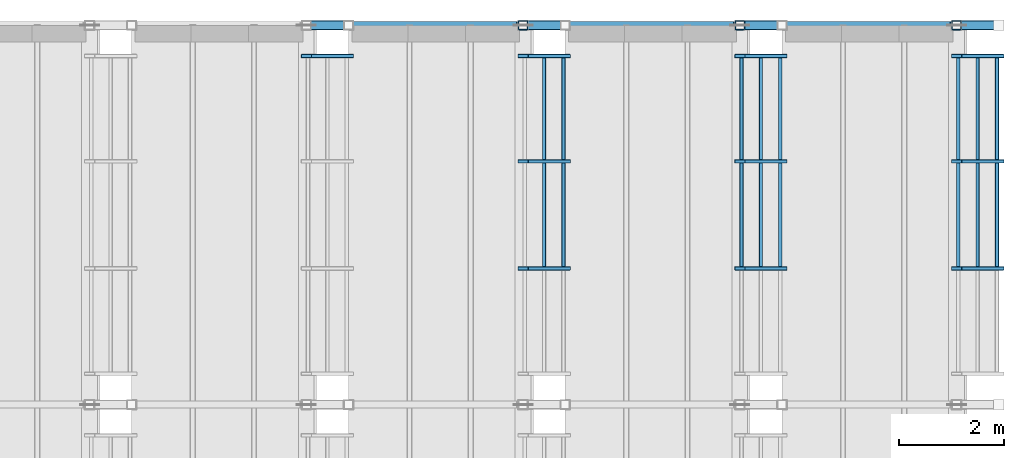
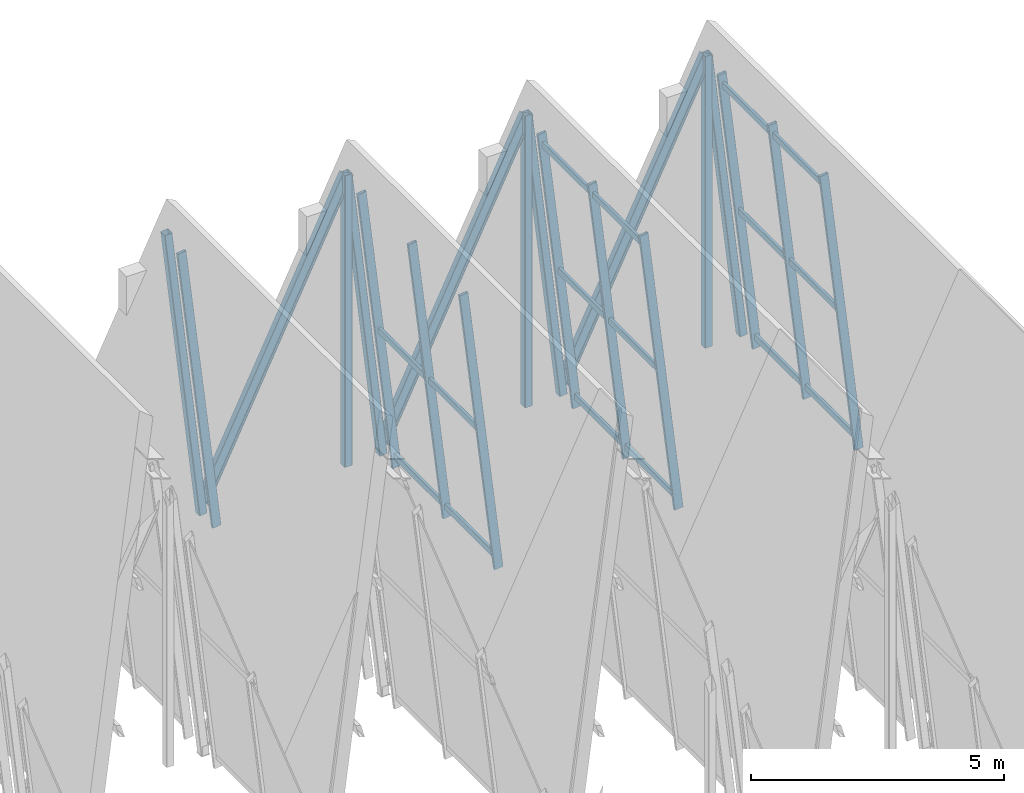
# One storey, part 10 of 28: 36 members, 4 elements without a shape of their own.
"""IFC4 building model written with IfcOpenShell, lengths in metres."""

from ifc_helpers import new_model, si_unit, direction, frame, origin, origin_2d, place, context, subcontext, project, spatial, hollow_rectangle, i_section, extrude, material, material_profile, profile_set, type_object, element, aggregate, save


model = new_model("IFC4")

# Units and contexts
model_context = context("Model", 3, precision=1e-05, world=origin(), true_north=direction((0.0, 1.0)))
body_context = subcontext(model_context, "Body", "Model", "MODEL_VIEW")
ifc_project = project(units=[si_unit("LENGTHUNIT", "METRE"), si_unit("AREAUNIT", "SQUARE_METRE"), si_unit("VOLUMEUNIT", "CUBIC_METRE"), si_unit("PLANEANGLEUNIT", "RADIAN"), si_unit("MASSUNIT", "GRAM", prefix="KILO")], contexts=[model_context])

# Site, building, storey
site_placement = place(None, origin())
site = spatial("IfcSite", under=ifc_project, at=site_placement, CompositionType="ELEMENT")
building_placement = place(site_placement, origin())
building = spatial("IfcBuilding", under=site, at=building_placement, Name="Bramveld Media Centre", CompositionType="ELEMENT")
storey_placement = place(building_placement, frame((0.0, 0.0, 33.89990234375)))
storey = spatial("IfcBuildingStorey", under=building, at=storey_placement, Name="ROOF", CompositionType="ELEMENT", Elevation=33.89990234375)

# Curtain wall, member
ifc_material_1 = material(Name="Thermally broken anodized bronze aluminium unitized curtain wall with solar-control triple glazing", Category="aluminium")
curtain_wall_type = type_object("IfcCurtainWallType", Name="CW-CRN-6100x6941", PredefinedType="NOTDEFINED", material=ifc_material_1)
curtain_wall_1_placement = place(storey_placement, origin())
curtain_wall_1 = element("IfcCurtainWall", 1, at=curtain_wall_1_placement, inside=storey, type_object=curtain_wall_type, Name="V7 crown clerestory B4-S4", PredefinedType="NOTDEFINED")
ifc_material_2 = material(Name="Thermally broken anodized bronze aluminium EN AW-6063 T6 curtain-wall framing", Category="aluminium")
ifc_material_profile_1 = material_profile(ifc_material_2, hollow_rectangle(XDim=0.070068359375, YDim=0.199951171875, WallThickness=0.00439453125, InnerFilletRadius=0.00439453125, OuterFilletRadius=0.009033203125, at=origin_2d()), Name="AL-MULL 70x200")
ifc_profile_set_1 = profile_set([ifc_material_profile_1], Name="Thermally broken anodized bronze aluminium EN AW-6063 T6 curtain-wall framing")
member_type_1 = type_object("IfcMemberType", Name="CW-MULL-SLP", PredefinedType="MULLION", material=ifc_profile_set_1)
member_1_placement = place(storey_placement, frame((147.656982421875, 111.4150390625, -0.02001953125), z_axis=(-0.115228868081, 0.0, 0.993338969315), x_axis=(0.0, -1.0, 0.0)))
member_1 = element("IfcMember", 2, at=member_1_placement, type_object=member_type_1, Name="CW-CR-6169 sloped mullion 4", PredefinedType="MULLION", context=body_context, shape_type="SweptSolid", body=[
    extrude(hollow_rectangle(XDim=0.070068359375, YDim=0.199951171875, WallThickness=0.00439453125, InnerFilletRadius=0.00439453125, OuterFilletRadius=0.009033203125, at=origin_2d()), origin(), (0.0, 0.0, 1.0), 6.94091796875),
])
aggregate(curtain_wall_1, [member_1])

# Curtain wall, members
curtain_wall_2_placement = place(storey_placement, origin())
curtain_wall_2 = element("IfcCurtainWall", 3, at=curtain_wall_2_placement, inside=storey, type_object=curtain_wall_type, Name="V7 crown clerestory B5-S4", PredefinedType="NOTDEFINED")
member_2_placement = place(storey_placement, frame((151.771484375, 107.38330078125, -0.02001953125), z_axis=(-0.115263574492, 0.0, 0.993334942703), x_axis=(0.0, -1.0, 0.0)))
member_2 = element("IfcMember", 4, at=member_2_placement, type_object=member_type_1, Name="CW-CR-6169 sloped mullion 2", PredefinedType="MULLION", context=body_context, shape_type="SweptSolid", body=[
    extrude(hollow_rectangle(XDim=0.070068359375, YDim=0.199951171875, WallThickness=0.00439453125, InnerFilletRadius=0.00439453125, OuterFilletRadius=0.009033203125, at=origin_2d()), origin(), (0.0, 0.0, 1.0), 6.94091796875),
])
member_3_placement = place(storey_placement, frame((151.771484375, 109.416748046875, -0.02001953125), z_axis=(-0.115263574492, 0.0, 0.993334942703), x_axis=(0.0, -1.0, 0.0)))
member_3 = element("IfcMember", 5, at=member_3_placement, type_object=member_type_1, Name="CW-CR-6169 sloped mullion 3", PredefinedType="MULLION", context=body_context, shape_type="SweptSolid", body=[
    extrude(hollow_rectangle(XDim=0.070068359375, YDim=0.199951171875, WallThickness=0.00439453125, InnerFilletRadius=0.00439453125, OuterFilletRadius=0.009033203125, at=origin_2d()), origin(), (0.0, 0.0, 1.0), 6.94091796875),
])
member_4_placement = place(storey_placement, frame((151.771484375, 111.4150390625, -0.02001953125), z_axis=(-0.115263574492, 0.0, 0.993334942703), x_axis=(0.0, -1.0, 0.0)))
member_4 = element("IfcMember", 6, at=member_4_placement, type_object=member_type_1, Name="CW-CR-6169 sloped mullion 4", PredefinedType="MULLION", context=body_context, shape_type="SweptSolid", body=[
    extrude(hollow_rectangle(XDim=0.070068359375, YDim=0.199951171875, WallThickness=0.00439453125, InnerFilletRadius=0.00439453125, OuterFilletRadius=0.009033203125, at=origin_2d()), origin(), (0.0, 0.0, 1.0), 6.94091796875),
])

curtain_wall_3_placement = place(storey_placement, origin())
curtain_wall_3 = element("IfcCurtainWall", 7, at=curtain_wall_3_placement, inside=storey, type_object=curtain_wall_type, Name="V7 crown clerestory B6-S4", PredefinedType="NOTDEFINED")
member_5_placement = place(storey_placement, frame((155.8857421875, 107.38330078125, -0.02001953125), z_axis=(-0.115263574492, 0.0, 0.993334942703), x_axis=(0.0, -1.0, 0.0)))
member_5 = element("IfcMember", 8, at=member_5_placement, type_object=member_type_1, Name="CW-CR-6169 sloped mullion 2", PredefinedType="MULLION", context=body_context, shape_type="SweptSolid", body=[
    extrude(hollow_rectangle(XDim=0.070068359375, YDim=0.199951171875, WallThickness=0.00439453125, InnerFilletRadius=0.00439453125, OuterFilletRadius=0.009033203125, at=origin_2d()), origin(), (0.0, 0.0, 1.0), 6.94091796875),
])
member_6_placement = place(storey_placement, frame((155.8857421875, 109.416748046875, -0.02001953125), z_axis=(-0.115263574492, 0.0, 0.993334942703), x_axis=(0.0, -1.0, 0.0)))
member_6 = element("IfcMember", 9, at=member_6_placement, type_object=member_type_1, Name="CW-CR-6169 sloped mullion 3", PredefinedType="MULLION", context=body_context, shape_type="SweptSolid", body=[
    extrude(hollow_rectangle(XDim=0.070068359375, YDim=0.199951171875, WallThickness=0.00439453125, InnerFilletRadius=0.00439453125, OuterFilletRadius=0.009033203125, at=origin_2d()), origin(), (0.0, 0.0, 1.0), 6.94091796875),
])
member_7_placement = place(storey_placement, frame((155.8857421875, 111.4150390625, -0.02001953125), z_axis=(-0.115263574492, 0.0, 0.993334942703), x_axis=(0.0, -1.0, 0.0)))
member_7 = element("IfcMember", 10, at=member_7_placement, type_object=member_type_1, Name="CW-CR-6169 sloped mullion 4", PredefinedType="MULLION", context=body_context, shape_type="SweptSolid", body=[
    extrude(hollow_rectangle(XDim=0.070068359375, YDim=0.199951171875, WallThickness=0.00439453125, InnerFilletRadius=0.00439453125, OuterFilletRadius=0.009033203125, at=origin_2d()), origin(), (0.0, 0.0, 1.0), 6.94091796875),
])

curtain_wall_4_placement = place(storey_placement, origin())
curtain_wall_4 = element("IfcCurtainWall", 11, at=curtain_wall_4_placement, inside=storey, type_object=curtain_wall_type, Name="V7 crown clerestory B7-S4", PredefinedType="NOTDEFINED")
member_8_placement = place(storey_placement, frame((160.0, 107.38330078125, -0.02001953125), z_axis=(-0.115263574492, 0.0, 0.993334942703), x_axis=(0.0, -1.0, 0.0)))
member_8 = element("IfcMember", 12, at=member_8_placement, type_object=member_type_1, Name="CW-CR-6169 sloped mullion 2", PredefinedType="MULLION", context=body_context, shape_type="SweptSolid", body=[
    extrude(hollow_rectangle(XDim=0.070068359375, YDim=0.199951171875, WallThickness=0.00439453125, InnerFilletRadius=0.00439453125, OuterFilletRadius=0.009033203125, at=origin_2d()), origin(), (0.0, 0.0, 1.0), 6.94091796875),
])
member_9_placement = place(storey_placement, frame((160.0, 109.416748046875, -0.02001953125), z_axis=(-0.115263574492, 0.0, 0.993334942703), x_axis=(0.0, -1.0, 0.0)))
member_9 = element("IfcMember", 13, at=member_9_placement, type_object=member_type_1, Name="CW-CR-6169 sloped mullion 3", PredefinedType="MULLION", context=body_context, shape_type="SweptSolid", body=[
    extrude(hollow_rectangle(XDim=0.070068359375, YDim=0.199951171875, WallThickness=0.00439453125, InnerFilletRadius=0.00439453125, OuterFilletRadius=0.009033203125, at=origin_2d()), origin(), (0.0, 0.0, 1.0), 6.94091796875),
])
member_10_placement = place(storey_placement, frame((160.0, 111.4150390625, -0.02001953125), z_axis=(-0.115263574492, 0.0, 0.993334942703), x_axis=(0.0, -1.0, 0.0)))
member_10 = element("IfcMember", 14, at=member_10_placement, type_object=member_type_1, Name="CW-CR-6169 sloped mullion 4", PredefinedType="MULLION", context=body_context, shape_type="SweptSolid", body=[
    extrude(hollow_rectangle(XDim=0.070068359375, YDim=0.199951171875, WallThickness=0.00439453125, InnerFilletRadius=0.00439453125, OuterFilletRadius=0.009033203125, at=origin_2d()), origin(), (0.0, 0.0, 1.0), 6.94091796875),
])

# Member
ifc_material_3 = material(Name="Thermally broken anodized bronze aluminium EN AW-6063 T6 curtain-wall framing", Category="aluminium")
ifc_material_profile_2 = material_profile(ifc_material_3, hollow_rectangle(XDim=0.070068359375, YDim=0.14990234375, WallThickness=0.00390625, InnerFilletRadius=0.00390625, OuterFilletRadius=0.008056640625, at=origin_2d()), Name="AL-TRAN 70x150")
ifc_profile_set_2 = profile_set([ifc_material_profile_2], Name="Thermally broken anodized bronze aluminium EN AW-6063 T6 curtain-wall framing")
member_type_2 = type_object("IfcMemberType", Name="CW-TRAN-SLP", PredefinedType="USERDEFINED", material=ifc_profile_set_2)
member_11_placement = place(storey_placement, frame((151.739501953125, 107.418212890625, 0.255859375), z_axis=(0.0, 1.0, 0.0), x_axis=(-1.0, 0.0, 0.0)))
member_11 = element("IfcMember", 15, at=member_11_placement, type_object=member_type_2, Name="CW-CR-6169 transom 2.1", ObjectType="TRANSOM", PredefinedType="USERDEFINED", context=body_context, shape_type="SweptSolid", body=[
    extrude(hollow_rectangle(XDim=0.070068359375, YDim=0.14990234375, WallThickness=0.00390625, InnerFilletRadius=0.00390625, OuterFilletRadius=0.008056640625, at=origin_2d()), origin(), (0.0, 0.0, 1.0), 1.96337890625),
])

member_12_placement = place(storey_placement, frame((151.371337890625, 107.418212890625, 3.427490234375), z_axis=(0.0, 1.0, 0.0), x_axis=(-1.0, 0.0, 0.0)))
member_12 = element("IfcMember", 16, at=member_12_placement, type_object=member_type_2, Name="CW-CR-6169 transom 2.2", ObjectType="TRANSOM", PredefinedType="USERDEFINED", context=body_context, shape_type="SweptSolid", body=[
    extrude(hollow_rectangle(XDim=0.070068359375, YDim=0.14990234375, WallThickness=0.00390625, InnerFilletRadius=0.00390625, OuterFilletRadius=0.008056640625, at=origin_2d()), origin(), (0.0, 0.0, 1.0), 1.96337890625),
])

member_13_placement = place(storey_placement, frame((151.739501953125, 109.45166015625, 0.255859375), z_axis=(0.0, 1.0, 0.0), x_axis=(-1.0, 0.0, 0.0)))
member_13 = element("IfcMember", 17, at=member_13_placement, type_object=member_type_2, Name="CW-CR-6169 transom 3.1", ObjectType="TRANSOM", PredefinedType="USERDEFINED", context=body_context, shape_type="SweptSolid", body=[
    extrude(hollow_rectangle(XDim=0.070068359375, YDim=0.14990234375, WallThickness=0.00390625, InnerFilletRadius=0.00390625, OuterFilletRadius=0.008056640625, at=origin_2d()), origin(), (0.0, 0.0, 1.0), 1.92822265625),
])

member_14_placement = place(storey_placement, frame((151.371337890625, 109.45166015625, 3.427490234375), z_axis=(0.0, 1.0, 0.0), x_axis=(-1.0, 0.0, 0.0)))
member_14 = element("IfcMember", 18, at=member_14_placement, type_object=member_type_2, Name="CW-CR-6169 transom 3.2", ObjectType="TRANSOM", PredefinedType="USERDEFINED", context=body_context, shape_type="SweptSolid", body=[
    extrude(hollow_rectangle(XDim=0.070068359375, YDim=0.14990234375, WallThickness=0.00390625, InnerFilletRadius=0.00390625, OuterFilletRadius=0.008056640625, at=origin_2d()), origin(), (0.0, 0.0, 1.0), 1.92822265625),
])

aggregate(curtain_wall_2, [member_2, member_3, member_4, member_11, member_12, member_13, member_14])

member_15_placement = place(storey_placement, frame((155.853759765625, 107.418212890625, 0.255859375), z_axis=(0.0, 1.0, 0.0), x_axis=(-1.0, 0.0, 0.0)))
member_15 = element("IfcMember", 19, at=member_15_placement, type_object=member_type_2, Name="CW-CR-6169 transom 2.1", ObjectType="TRANSOM", PredefinedType="USERDEFINED", context=body_context, shape_type="SweptSolid", body=[
    extrude(hollow_rectangle(XDim=0.070068359375, YDim=0.14990234375, WallThickness=0.00390625, InnerFilletRadius=0.00390625, OuterFilletRadius=0.008056640625, at=origin_2d()), origin(), (0.0, 0.0, 1.0), 1.96337890625),
])

member_16_placement = place(storey_placement, frame((155.485595703125, 107.418212890625, 3.427490234375), z_axis=(0.0, 1.0, 0.0), x_axis=(-1.0, 0.0, 0.0)))
member_16 = element("IfcMember", 20, at=member_16_placement, type_object=member_type_2, Name="CW-CR-6169 transom 2.2", ObjectType="TRANSOM", PredefinedType="USERDEFINED", context=body_context, shape_type="SweptSolid", body=[
    extrude(hollow_rectangle(XDim=0.070068359375, YDim=0.14990234375, WallThickness=0.00390625, InnerFilletRadius=0.00390625, OuterFilletRadius=0.008056640625, at=origin_2d()), origin(), (0.0, 0.0, 1.0), 1.96337890625),
])

member_17_placement = place(storey_placement, frame((155.11767578125, 107.418212890625, 6.598876953125), z_axis=(0.0, 1.0, 0.0), x_axis=(-1.0, 0.0, 0.0)))
member_17 = element("IfcMember", 21, at=member_17_placement, type_object=member_type_2, Name="CW-CR-6169 transom 2.3", ObjectType="TRANSOM", PredefinedType="USERDEFINED", context=body_context, shape_type="SweptSolid", body=[
    extrude(hollow_rectangle(XDim=0.070068359375, YDim=0.14990234375, WallThickness=0.00390625, InnerFilletRadius=0.00390625, OuterFilletRadius=0.008056640625, at=origin_2d()), origin(), (0.0, 0.0, 1.0), 1.96337890625),
])

member_18_placement = place(storey_placement, frame((155.853759765625, 109.45166015625, 0.255859375), z_axis=(0.0, 1.0, 0.0), x_axis=(-1.0, 0.0, 0.0)))
member_18 = element("IfcMember", 22, at=member_18_placement, type_object=member_type_2, Name="CW-CR-6169 transom 3.1", ObjectType="TRANSOM", PredefinedType="USERDEFINED", context=body_context, shape_type="SweptSolid", body=[
    extrude(hollow_rectangle(XDim=0.070068359375, YDim=0.14990234375, WallThickness=0.00390625, InnerFilletRadius=0.00390625, OuterFilletRadius=0.008056640625, at=origin_2d()), origin(), (0.0, 0.0, 1.0), 1.92822265625),
])

member_19_placement = place(storey_placement, frame((155.485595703125, 109.45166015625, 3.427490234375), z_axis=(0.0, 1.0, 0.0), x_axis=(-1.0, 0.0, 0.0)))
member_19 = element("IfcMember", 23, at=member_19_placement, type_object=member_type_2, Name="CW-CR-6169 transom 3.2", ObjectType="TRANSOM", PredefinedType="USERDEFINED", context=body_context, shape_type="SweptSolid", body=[
    extrude(hollow_rectangle(XDim=0.070068359375, YDim=0.14990234375, WallThickness=0.00390625, InnerFilletRadius=0.00390625, OuterFilletRadius=0.008056640625, at=origin_2d()), origin(), (0.0, 0.0, 1.0), 1.92822265625),
])

member_20_placement = place(storey_placement, frame((155.11767578125, 109.45166015625, 6.598876953125), z_axis=(0.0, 1.0, 0.0), x_axis=(-1.0, 0.0, 0.0)))
member_20 = element("IfcMember", 24, at=member_20_placement, type_object=member_type_2, Name="CW-CR-6169 transom 3.3", ObjectType="TRANSOM", PredefinedType="USERDEFINED", context=body_context, shape_type="SweptSolid", body=[
    extrude(hollow_rectangle(XDim=0.070068359375, YDim=0.14990234375, WallThickness=0.00390625, InnerFilletRadius=0.00390625, OuterFilletRadius=0.008056640625, at=origin_2d()), origin(), (0.0, 0.0, 1.0), 1.92822265625),
])

aggregate(curtain_wall_3, [member_5, member_6, member_7, member_15, member_16, member_17, member_18, member_19, member_20])

member_21_placement = place(storey_placement, frame((159.968017578125, 107.418212890625, 0.255859375), z_axis=(0.0, 1.0, 0.0), x_axis=(-1.0, 0.0, 0.0)))
member_21 = element("IfcMember", 25, at=member_21_placement, type_object=member_type_2, Name="CW-CR-6169 transom 2.1", ObjectType="TRANSOM", PredefinedType="USERDEFINED", context=body_context, shape_type="SweptSolid", body=[
    extrude(hollow_rectangle(XDim=0.070068359375, YDim=0.14990234375, WallThickness=0.00390625, InnerFilletRadius=0.00390625, OuterFilletRadius=0.008056640625, at=origin_2d()), origin(), (0.0, 0.0, 1.0), 1.96337890625),
])

member_22_placement = place(storey_placement, frame((159.60009765625, 107.418212890625, 3.427490234375), z_axis=(0.0, 1.0, 0.0), x_axis=(-1.0, 0.0, 0.0)))
member_22 = element("IfcMember", 26, at=member_22_placement, type_object=member_type_2, Name="CW-CR-6169 transom 2.2", ObjectType="TRANSOM", PredefinedType="USERDEFINED", context=body_context, shape_type="SweptSolid", body=[
    extrude(hollow_rectangle(XDim=0.070068359375, YDim=0.14990234375, WallThickness=0.00390625, InnerFilletRadius=0.00390625, OuterFilletRadius=0.008056640625, at=origin_2d()), origin(), (0.0, 0.0, 1.0), 1.96337890625),
])

member_23_placement = place(storey_placement, frame((159.23193359375, 107.418212890625, 6.598876953125), z_axis=(0.0, 1.0, 0.0), x_axis=(-1.0, 0.0, 0.0)))
member_23 = element("IfcMember", 27, at=member_23_placement, type_object=member_type_2, Name="CW-CR-6169 transom 2.3", ObjectType="TRANSOM", PredefinedType="USERDEFINED", context=body_context, shape_type="SweptSolid", body=[
    extrude(hollow_rectangle(XDim=0.070068359375, YDim=0.14990234375, WallThickness=0.00390625, InnerFilletRadius=0.00390625, OuterFilletRadius=0.008056640625, at=origin_2d()), origin(), (0.0, 0.0, 1.0), 1.96337890625),
])

member_24_placement = place(storey_placement, frame((159.968017578125, 109.45166015625, 0.255859375), z_axis=(0.0, 1.0, 0.0), x_axis=(-1.0, 0.0, 0.0)))
member_24 = element("IfcMember", 28, at=member_24_placement, type_object=member_type_2, Name="CW-CR-6169 transom 3.1", ObjectType="TRANSOM", PredefinedType="USERDEFINED", context=body_context, shape_type="SweptSolid", body=[
    extrude(hollow_rectangle(XDim=0.070068359375, YDim=0.14990234375, WallThickness=0.00390625, InnerFilletRadius=0.00390625, OuterFilletRadius=0.008056640625, at=origin_2d()), origin(), (0.0, 0.0, 1.0), 1.92822265625),
])

member_25_placement = place(storey_placement, frame((159.60009765625, 109.45166015625, 3.427490234375), z_axis=(0.0, 1.0, 0.0), x_axis=(-1.0, 0.0, 0.0)))
member_25 = element("IfcMember", 29, at=member_25_placement, type_object=member_type_2, Name="CW-CR-6169 transom 3.2", ObjectType="TRANSOM", PredefinedType="USERDEFINED", context=body_context, shape_type="SweptSolid", body=[
    extrude(hollow_rectangle(XDim=0.070068359375, YDim=0.14990234375, WallThickness=0.00390625, InnerFilletRadius=0.00390625, OuterFilletRadius=0.008056640625, at=origin_2d()), origin(), (0.0, 0.0, 1.0), 1.92822265625),
])

member_26_placement = place(storey_placement, frame((159.23193359375, 109.45166015625, 6.598876953125), z_axis=(0.0, 1.0, 0.0), x_axis=(-1.0, 0.0, 0.0)))
member_26 = element("IfcMember", 30, at=member_26_placement, type_object=member_type_2, Name="CW-CR-6169 transom 3.3", ObjectType="TRANSOM", PredefinedType="USERDEFINED", context=body_context, shape_type="SweptSolid", body=[
    extrude(hollow_rectangle(XDim=0.070068359375, YDim=0.14990234375, WallThickness=0.00390625, InnerFilletRadius=0.00390625, OuterFilletRadius=0.008056640625, at=origin_2d()), origin(), (0.0, 0.0, 1.0), 1.92822265625),
])

aggregate(curtain_wall_4, [member_8, member_9, member_10, member_21, member_22, member_23, member_24, member_25, member_26])

# Members
ifc_material_4 = material(Name="Steel S355J2H", Category="steel")
ifc_material_profile_3 = material_profile(ifc_material_4, hollow_rectangle(XDim=0.179931640625, YDim=0.179931640625, WallThickness=0.010009765625, InnerFilletRadius=0.010009765625, OuterFilletRadius=0.02001953125, at=origin_2d()), Name="SHS 180x180x10")
ifc_profile_set_3 = profile_set([ifc_material_profile_3], Name="Steel S355J2H")
member_type_3 = type_object("IfcMemberType", Name="MEM-POST-SHS180", PredefinedType="POST", material=ifc_profile_set_3)
for number, where, z_axis, x_axis, name in (
    (31, (150.971435546875, 112.0, -0.0498046875), (0.0, 0.0, 1.0), (1.0, 0.0, 0.0), "CRN-FR-B05-F5 gable kingpost"),
    (32, (155.085693359375, 112.0, -0.0498046875), (0.0, 0.0, 1.0), (1.0, 0.0, 0.0), "CRN-FR-B06-F5 gable kingpost"),
    (33, (159.199951171875, 112.0, -0.0498046875), (0.0, 0.0, 1.0), (1.0, 0.0, 0.0), "CRN-FR-B07-F5 gable kingpost"),
):
    element("IfcMember", number, at=place(storey_placement, frame(where, z_axis=z_axis, x_axis=x_axis)), inside=storey, type_object=member_type_3, Name=name, PredefinedType="POST", context=body_context, shape_type="SweptSolid", body=[
        extrude(hollow_rectangle(XDim=0.179931640625, YDim=0.179931640625, WallThickness=0.010009765625, InnerFilletRadius=0.010009765625, OuterFilletRadius=0.02001953125, at=origin_2d()), origin(), (0.0, 0.0, 1.0), 7.044677734375),
    ])
ifc_material_5 = material(Name="Steel S355J2", Category="steel")
ifc_material_profile_4 = material_profile(ifc_material_5, i_section(OverallWidth=0.135009765625, OverallDepth=0.27001953125, WebThickness=0.006591796875, FlangeThickness=0.01025390625, FilletRadius=0.014892578125, at=origin_2d()), Name="IPE 270")
ifc_profile_set_4 = profile_set([ifc_material_profile_4], Name="Steel S355J2")
member_type_4 = type_object("IfcMemberType", Name="MEM-RAFTER-IPE270", PredefinedType="RAFTER", material=ifc_profile_set_4)
for number, where, z_axis, x_axis, name in (
    (34, (147.656982421875, 112.0, 0.1748046875), (0.437101193692, 0.0, 0.899412333956), (0.0, 1.0, 0.0), "CRN-FR-B05-F5 gable rafter"),
    (35, (151.771484375, 112.0, 0.1748046875), (0.437075147934, 0.0, 0.899424991347), (0.0, 1.0, 0.0), "CRN-FR-B06-F5 gable rafter"),
    (36, (155.8857421875, 112.0, 0.1748046875), (0.437075147934, 0.0, 0.899424991347), (0.0, 1.0, 0.0), "CRN-FR-B07-F5 gable rafter"),
):
    element("IfcMember", number, at=place(storey_placement, frame(where, z_axis=z_axis, x_axis=x_axis)), inside=storey, type_object=member_type_4, Name=name, PredefinedType="RAFTER", context=body_context, shape_type="SweptSolid", body=[
        extrude(i_section(OverallWidth=0.135009765625, OverallDepth=0.27001953125, WebThickness=0.006591796875, FlangeThickness=0.01025390625, FilletRadius=0.014892578125, at=origin_2d()), origin(), (0.0, 0.0, 1.0), 7.582763671875),
    ])
ifc_material_6 = material(Name="Steel S355J2H", Category="steel")
ifc_material_profile_5 = material_profile(ifc_material_6, hollow_rectangle(XDim=0.179931640625, YDim=0.179931640625, WallThickness=0.010009765625, InnerFilletRadius=0.010009765625, OuterFilletRadius=0.02001953125, at=origin_2d()), Name="SHS 180x180x10")
ifc_profile_set_5 = profile_set([ifc_material_profile_5], Name="Steel S355J2H")
member_type_5 = type_object("IfcMemberType", Name="MEM-STRUT-SHS180", PredefinedType="STRUT", material=ifc_profile_set_5)
for number, where, z_axis, x_axis, name in (
    (37, (147.656982421875, 112.0, -0.0498046875), (-0.112808472616, 0.0, 0.993616751321), (0.0, -1.0, 0.0), "CRN-FR-B04-F5 gable strut"),
    (38, (151.771484375, 112.0, -0.0498046875), (-0.112842469029, 0.0, 0.993612891011), (0.0, -1.0, 0.0), "CRN-FR-B05-F5 gable strut"),
    (39, (155.8857421875, 112.0, -0.0498046875), (-0.112842469029, 0.0, 0.993612891011), (0.0, -1.0, 0.0), "CRN-FR-B06-F5 gable strut"),
    (40, (160.0, 112.0, -0.0498046875), (-0.112842469029, 0.0, 0.993612891011), (0.0, -1.0, 0.0), "CRN-FR-B07-F5 gable strut"),
):
    element("IfcMember", number, at=place(storey_placement, frame(where, z_axis=z_axis, x_axis=x_axis)), inside=storey, type_object=member_type_5, Name=name, PredefinedType="STRUT", context=body_context, shape_type="SweptSolid", body=[
        extrude(hollow_rectangle(XDim=0.179931640625, YDim=0.179931640625, WallThickness=0.010009765625, InnerFilletRadius=0.010009765625, OuterFilletRadius=0.02001953125, at=origin_2d()), origin(), (0.0, 0.0, 1.0), 7.08984375),
    ])

save(model, "model.ifc")
